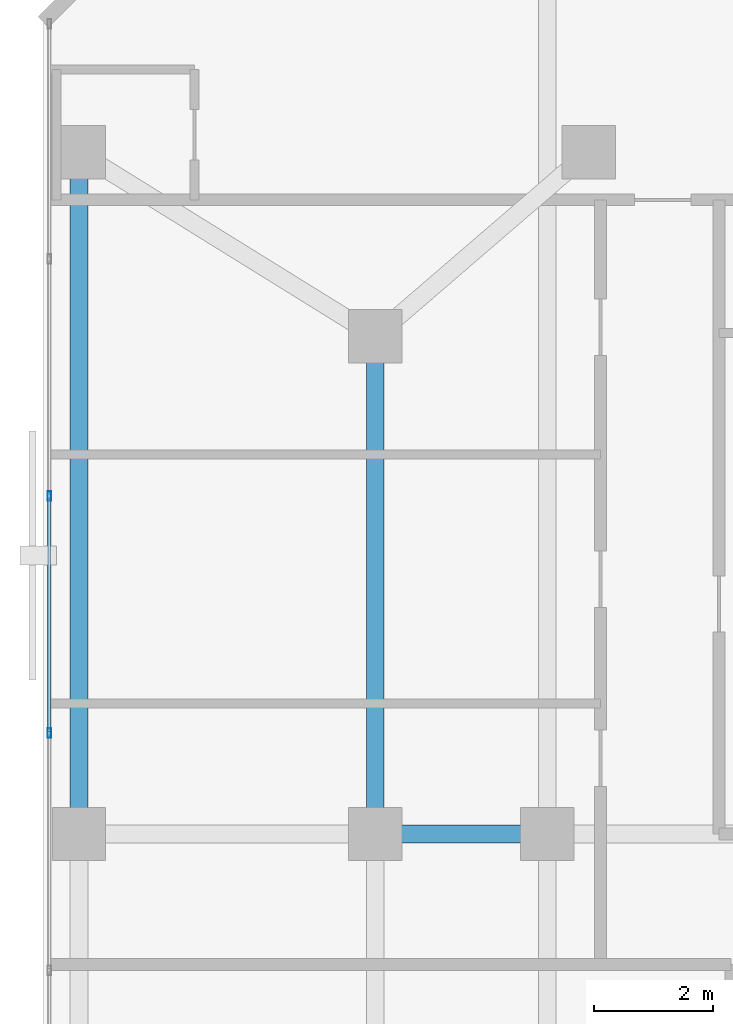
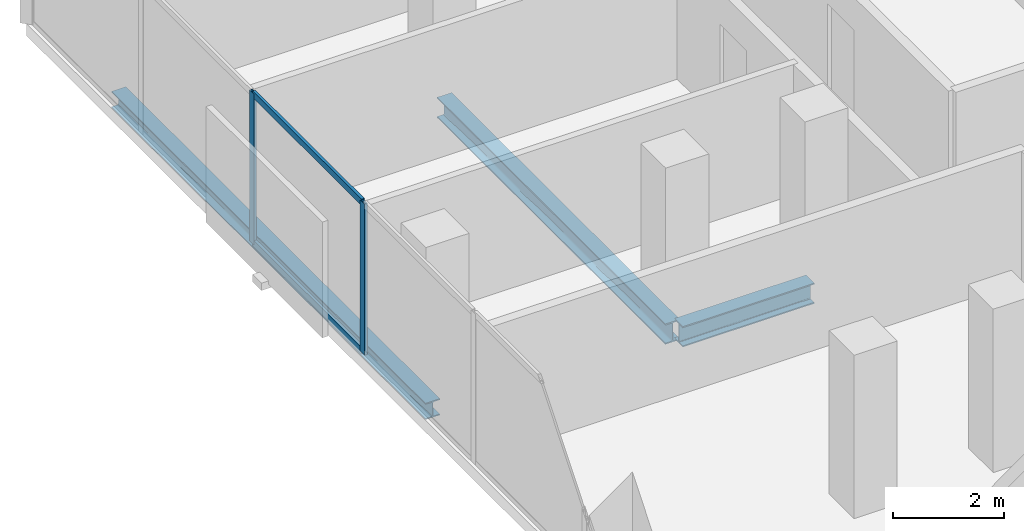
# One storey, part 11 of 34: 4 members, 3 beams, 1 element without a shape of its own.
"""IFC4 building model written with IfcOpenShell, lengths in metres."""

from ifc_helpers import new_model, si_unit, direction, frame, origin, origin_2d, place, context, subcontext, project, spatial, hollow_rectangle, i_section, extrude, material, layer, layer_set, material_profile, profile_set, type_object, element, aggregate, save


model = new_model("IFC4")

# Units and contexts
model_context = context("Model", 3, precision=1e-05, world=origin(), true_north=direction((0.0, 1.0)))
body_context = subcontext(model_context, "Body", "Model", "MODEL_VIEW")
ifc_project = project(units=[si_unit("LENGTHUNIT", "METRE"), si_unit("AREAUNIT", "SQUARE_METRE"), si_unit("VOLUMEUNIT", "CUBIC_METRE"), si_unit("PLANEANGLEUNIT", "RADIAN"), si_unit("MASSUNIT", "GRAM", prefix="KILO")], contexts=[model_context])

# Site, building, storey
site_placement = place(None, origin())
site = spatial("IfcSite", under=ifc_project, at=site_placement, CompositionType="ELEMENT")
building_placement = place(site_placement, origin())
building = spatial("IfcBuilding", under=site, at=building_placement, Name="Catumbela Crestline Tower", CompositionType="ELEMENT")
storey_placement = place(building_placement, frame((0.0, 0.0, 111.6)))
storey = spatial("IfcBuildingStorey", under=building, at=storey_placement, Name="L28", CompositionType="ELEMENT", Elevation=111.6)

# Beams
ifc_material_1 = material(Name="Structural steel S355J2", Category="steel")
ifc_material_profile_1 = material_profile(ifc_material_1, i_section(OverallWidth=0.3, OverallDepth=0.45, WebThickness=0.014, FlangeThickness=0.026, FilletRadius=0.027, at=origin_2d()), Name="HEB 450")
ifc_profile_set_1 = profile_set([ifc_material_profile_1], Name="Structural steel S355J2")
beam_type_1 = type_object("IfcBeamType", Name="BG-HEB450", PredefinedType="BEAM", material=ifc_profile_set_1)
beam_1_placement = place(storey_placement, frame((5.68, 30.8, -0.485), z_axis=(1.0, 0.0, 0.0), x_axis=(0.0, 1.0, 0.0)))
element("IfcBeam", 1, at=beam_1_placement, inside=storey, type_object=beam_type_1, Name="L28 Beam BM-L28-M08", PredefinedType="BEAM", context=body_context, shape_type="SweptSolid", body=[
    extrude(i_section(OverallWidth=0.3, OverallDepth=0.45, WebThickness=0.014, FlangeThickness=0.026, FilletRadius=0.027, at=origin_2d()), origin(), (0.0, 0.0, 1.0), 2.74),
])
beam_2_placement = place(storey_placement, frame((5.6, 30.88, -0.485), z_axis=(0.0, 1.0, 0.0), x_axis=(-1.0, 0.0, 0.0)))
element("IfcBeam", 2, at=beam_2_placement, inside=storey, type_object=beam_type_1, Name="L28 Beam BM-L28-SN25", PredefinedType="BEAM", context=body_context, shape_type="SweptSolid", body=[
    extrude(i_section(OverallWidth=0.3, OverallDepth=0.45, WebThickness=0.014, FlangeThickness=0.026, FilletRadius=0.027, at=origin_2d()), origin(), (0.0, 0.0, 1.0), 8.24),
])

# Curtain wall, members
ifc_material_2 = material(Name="Aluminium alloy AW-6060-T66", Category="aluminium")
ifc_layer = layer(ifc_material_2, 0.18, Name="Aluminium alloy AW-6060-T66")
ifc_layer_set = layer_set([ifc_layer], Name="Aluminium alloy AW-6060-T66")
curtain_wall_type = type_object("IfcCurtainWallType", Name="CWU-Z2", PredefinedType="USERDEFINED", material=ifc_layer_set)
curtain_wall_placement = place(storey_placement, origin())
curtain_wall = element("IfcCurtainWall", 3, at=curtain_wall_placement, inside=storey, type_object=curtain_wall_type, Name="L28 Unitised Curtain Wall CW-L28-E9S1", ObjectType="UNITISED", PredefinedType="USERDEFINED")
ifc_material_profile_2 = material_profile(ifc_material_2, hollow_rectangle(XDim=0.06, YDim=0.16, WallThickness=0.004, at=origin_2d()), Name="ALU 160x60x4")
ifc_profile_set_2 = profile_set([ifc_material_profile_2], Name="Aluminium alloy AW-6060-T66")
member_type_1 = type_object("IfcMemberType", Name="MUL-160X60", PredefinedType="MULLION", material=ifc_profile_set_2)
member_1_placement = place(storey_placement, frame((0.1, 36.5, 0.0), z_axis=(0.0, 0.0, 1.0), x_axis=(1.0, 0.0, 0.0)))
member_1 = element("IfcMember", 4, at=member_1_placement, type_object=member_type_1, Name="CWU-Z2 mullion 3", PredefinedType="MULLION", context=body_context, shape_type="SweptSolid", body=[
    extrude(hollow_rectangle(XDim=0.06, YDim=0.16, WallThickness=0.004, at=origin_2d()), origin(), (0.0, 0.0, 1.0), 3.33),
])
member_2_placement = place(storey_placement, frame((0.1, 32.5, 0.0), z_axis=(0.0, 0.0, 1.0), x_axis=(1.0, 0.0, 0.0)))
member_2 = element("IfcMember", 5, at=member_2_placement, type_object=member_type_1, Name="CWU-Z2 mullion 4", PredefinedType="MULLION", context=body_context, shape_type="SweptSolid", body=[
    extrude(hollow_rectangle(XDim=0.06, YDim=0.16, WallThickness=0.004, at=origin_2d()), origin(), (0.0, 0.0, 1.0), 3.33),
])

# Beam
ifc_material_profile_3 = material_profile(ifc_material_1, i_section(OverallWidth=0.3, OverallDepth=0.36, WebThickness=0.0125, FlangeThickness=0.0225, FilletRadius=0.027, at=origin_2d()), Name="HEB 360")
ifc_profile_set_3 = profile_set([ifc_material_profile_3], Name="Structural steel S355J2")
beam_type_2 = type_object("IfcBeamType", Name="BS-HEB360", PredefinedType="SPANDREL", material=ifc_profile_set_3)
beam_3_placement = place(storey_placement, frame((0.6, 30.88, -0.44), z_axis=(0.0, 1.0, 0.0), x_axis=(-1.0, 0.0, 0.0)))
element("IfcBeam", 6, at=beam_3_placement, inside=storey, type_object=beam_type_2, Name="L28 Spandrel SP-L28-SN23", PredefinedType="SPANDREL", context=body_context, shape_type="SweptSolid", body=[
    extrude(i_section(OverallWidth=0.3, OverallDepth=0.36, WebThickness=0.0125, FlangeThickness=0.0225, FilletRadius=0.027, at=origin_2d()), origin(), (0.0, 0.0, 1.0), 11.34),
])

# Member
ifc_material_profile_4 = material_profile(ifc_material_2, hollow_rectangle(XDim=0.06, YDim=0.14, WallThickness=0.004, at=origin_2d()), Name="ALU 140x60x4")
ifc_profile_set_4 = profile_set([ifc_material_profile_4], Name="Aluminium alloy AW-6060-T66")
member_type_2 = type_object("IfcMemberType", Name="TRN-140X60", PredefinedType="USERDEFINED", material=ifc_profile_set_4)
member_3_placement = place(storey_placement, frame((0.1, 36.4675, 0.03), z_axis=(0.0, -1.0, 0.0), x_axis=(1.0, 0.0, 0.0)))
member_3 = element("IfcMember", 7, at=member_3_placement, type_object=member_type_2, Name="CWU-Z2 transom 3.1", ObjectType="TRANSOM", PredefinedType="USERDEFINED", context=body_context, shape_type="SweptSolid", body=[
    extrude(hollow_rectangle(XDim=0.06, YDim=0.14, WallThickness=0.004, at=origin_2d()), origin(), (0.0, 0.0, 1.0), 3.935),
])

member_4_placement = place(storey_placement, frame((0.1, 36.4675, 3.3), z_axis=(0.0, -1.0, 0.0), x_axis=(1.0, 0.0, 0.0)))
member_4 = element("IfcMember", 8, at=member_4_placement, type_object=member_type_2, Name="CWU-Z2 transom 3.2", ObjectType="TRANSOM", PredefinedType="USERDEFINED", context=body_context, shape_type="SweptSolid", body=[
    extrude(hollow_rectangle(XDim=0.06, YDim=0.14, WallThickness=0.004, at=origin_2d()), origin(), (0.0, 0.0, 1.0), 3.935),
])

aggregate(curtain_wall, [member_1, member_2, member_3, member_4])

save(model, "model.ifc")
